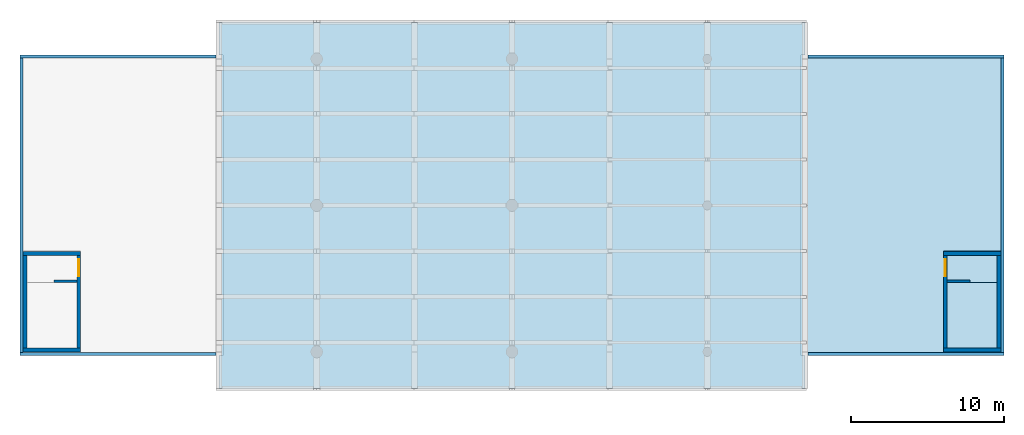
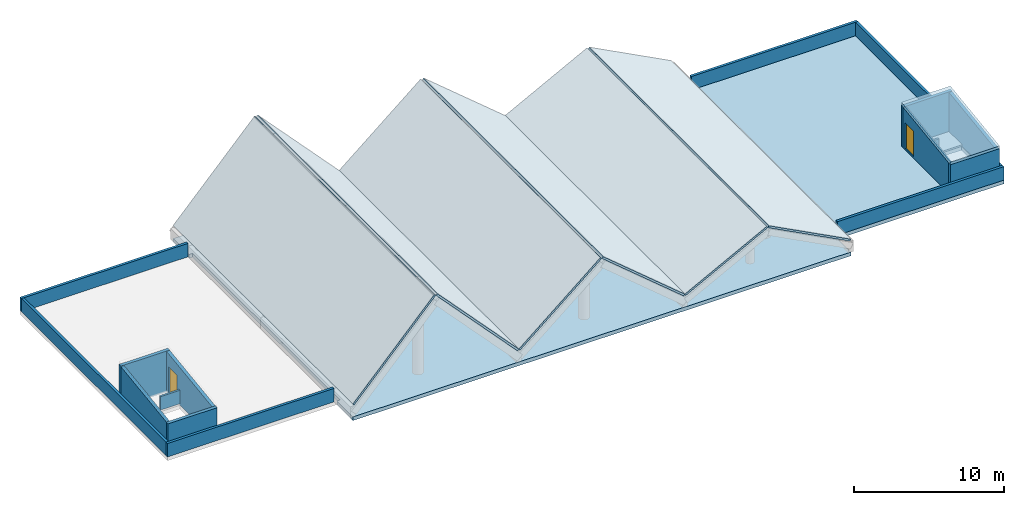
"""IFC4 building model written with IfcOpenShell, lengths in metres."""

from ifc_helpers import new_model, si_unit, direction, frame, frame_2d, origin, place, context, subcontext, project, spatial, polyline, rectangle, outline, extrude, material, layer, layer_set, type_object, element, fill, save


model = new_model("IFC4")

# Units and contexts
model_context = context("Model", 3, precision=1e-05, world=origin(), true_north=direction((0.0, 1.0)))
body_context = subcontext(model_context, "Body", "Model", "MODEL_VIEW")
ifc_project = project(units=[si_unit("LENGTHUNIT", "METRE"), si_unit("AREAUNIT", "SQUARE_METRE"), si_unit("VOLUMEUNIT", "CUBIC_METRE"), si_unit("PLANEANGLEUNIT", "RADIAN"), si_unit("MASSUNIT", "GRAM", prefix="KILO")], contexts=[model_context])

# Site, building, storey
site_placement = place(None, origin())
site = spatial("IfcSite", under=ifc_project, at=site_placement, CompositionType="ELEMENT")
building_placement = place(site_placement, origin())
building = spatial("IfcBuilding", under=site, at=building_placement, Name="Fogon Plaza Fire Station and Headquarters Tower", CompositionType="ELEMENT")
storey_1_placement = place(building_placement, frame((0.0, 0.0, 69.300048828125)))
storey_1 = spatial("IfcBuildingStorey", under=building, at=storey_1_placement, Name="ROOF", CompositionType="ELEMENT", Elevation=69.300048828125)

# Slabs
ifc_material_1 = material(Name="Concrete C40", Category="concrete")
ifc_layer_1 = layer(ifc_material_1, 0.1298828125)
ifc_layer_set_1 = layer_set([ifc_layer_1], Name="Concrete C40")
slab_type_1 = type_object("IfcSlabType", Name="Head-house Floor Slab RC 130", PredefinedType="FLOOR", material=ifc_layer_set_1)
slab_1_placement = place(storey_1_placement, frame((0.0, 0.0, 0.300048828125)))
element("IfcSlab", 1, at=slab_1_placement, inside=storey_1, type_object=slab_type_1, Name="Head-house ST3 floor", PredefinedType="FLOOR", context=body_context, shape_type="SweptSolid", body=[
    extrude(outline(polyline([(73.324951171875, 38.14990234375), (76.60009765625, 38.14990234375), (76.60009765625, 39.925048828125), (73.324951171875, 39.925048828125), (73.324951171875, 38.14990234375)])), origin(), (0.0, 0.0, 1.0), 0.1298828125),
])
ifc_material_2 = material(Name="Concrete C40", Category="concrete")
ifc_layer_2 = layer(ifc_material_2, 0.25)
ifc_layer_set_2 = layer_set([ifc_layer_2], Name="Concrete C40")
slab_type_2 = type_object("IfcSlabType", Name="Head-house Roof Slab RC 250", PredefinedType="ROOF", material=ifc_layer_set_2)
slab_2_placement = place(storey_1_placement, frame((76.85009765625, 33.60009765625, 3.002197265625), z_axis=(0.0, -0.135640167858, 0.99075816669), x_axis=(-1.0, 0.0, 0.0)))
element("IfcSlab", 2, at=slab_2_placement, inside=storey_1, type_object=slab_type_2, Name="Head-house ST3 roof", PredefinedType="ROOF", context=body_context, shape_type="SweptSolid", body=[
    extrude(outline(polyline([(0.0, 0.0), (3.775146484375, 0.0), (3.775146484375, -6.636282589362294), (0.0, -6.636282589362294), (0.0, 0.0)])), origin(), (0.0, 0.0, -1.0), 0.25),
])
ifc_material_3 = material(Name="Concrete C40", Category="concrete")
ifc_layer_3 = layer(ifc_material_3, 0.14990234375)
ifc_layer_set_3 = layer_set([ifc_layer_3], Name="Concrete C40")
slab_type_3 = type_object("IfcSlabType", Name="Roof slab 150 R15", PredefinedType="ROOF", material=ifc_layer_set_3)
for number, where, z_axis, x_axis, name in (
    (3, (25.60009765625, 31.199951171875, 1.349853515625), (-0.730716289719, 0.0, 0.682681260867), (0.682681260867, 0.0, 0.730716289719), "slab-crown-1"),
    (4, (32.11962890625, 31.199951171875, 8.072021484375), (0.730716289719, 0.0, 0.682681260867), (0.682681260867, 0.0, -0.730716289719), "slab-crown-2"),
):
    element("IfcSlab", number, at=place(storey_1_placement, frame(where, z_axis=z_axis, x_axis=x_axis)), inside=storey_1, type_object=slab_type_3, Name=name, PredefinedType="ROOF", context=body_context, shape_type="SweptSolid", body=[
        extrude(outline(polyline([(0.0, 0.0), (9.199422625896506, 0.0), (9.199422625896506, 24.0), (0.0, 24.0), (0.0, 0.0)])), origin(), (0.0, 0.0, -1.0), 0.14990234375),
    ])
slab_3_placement = place(storey_1_placement, frame((38.39990234375, 31.199951171875, 1.349853515625), z_axis=(-0.641354589808, 0.0, 0.76724460906), x_axis=(0.76724460906, 0.0, 0.641354589808)))
element("IfcSlab", 5, at=slab_3_placement, inside=storey_1, type_object=slab_type_3, Name="slab-crown-3", PredefinedType="ROOF", context=body_context, shape_type="SweptSolid", body=[
    extrude(outline(polyline([(0.0, 0.0), (8.20330991990697, 0.0), (8.20330991990697, 24.0), (0.0, 24.0), (0.0, 0.0)])), origin(), (0.0, 0.0, -1.0), 0.14990234375),
])
slab_4_placement = place(storey_1_placement, frame((44.90625, 31.199951171875, 6.611083984375), z_axis=(0.64136923481, 0.0, 0.767232366783), x_axis=(0.767232366783, 0.0, -0.64136923481)))
element("IfcSlab", 6, at=slab_4_placement, inside=storey_1, type_object=slab_type_3, Name="slab-crown-4", PredefinedType="ROOF", context=body_context, shape_type="SweptSolid", body=[
    extrude(outline(polyline([(0.0, 0.0), (8.203122605822987, 0.0), (8.203122605822987, 24.0), (0.0, 24.0), (0.0, 0.0)])), origin(), (0.0, 0.0, -1.0), 0.14990234375),
])
for number, where, z_axis, x_axis, name in (
    (7, (51.199951171875, 31.199951171875, 1.349853515625), (-0.463740992851, 0.0, 0.885970818678), (0.885970818678, 0.0, 0.463740992851), "slab-crown-5"),
    (8, (57.679443359375, 31.199951171875, 4.658203125), (0.463740992851, 0.0, 0.885970818678), (0.885970818678, 0.0, -0.463740992851), "slab-crown-6"),
):
    element("IfcSlab", number, at=place(storey_1_placement, frame(where, z_axis=z_axis, x_axis=x_axis)), inside=storey_1, type_object=slab_type_3, Name=name, PredefinedType="ROOF", context=body_context, shape_type="SweptSolid", body=[
        extrude(outline(polyline([(0.0, 0.0), (7.1340460739471325, 0.0), (7.1340460739471325, 24.0), (0.0, 24.0), (0.0, 0.0)])), origin(), (0.0, 0.0, -1.0), 0.14990234375),
    ])
ifc_material_4 = material(Name="Concrete C40", Category="concrete")
ifc_layer_4 = layer(ifc_material_4, 0.300048828125)
ifc_layer_set_4 = layer_set([ifc_layer_4], Name="Concrete C40")
slab_type_4 = type_object("IfcSlabType", Name="Roof slab 300 R30", PredefinedType="ROOF", material=ifc_layer_set_4)
slab_5_placement = place(storey_1_placement, origin())
element("IfcSlab", 9, at=slab_5_placement, inside=storey_1, type_object=slab_type_4, Name="slab-roof-bar", PredefinedType="ROOF", context=body_context, shape_type="SweptSolid", body=[
    extrude(outline(polyline([(64.0, 31.199951171875), (25.60009765625, 31.199951171875), (25.60009765625, 33.35009765625), (25.85009765625, 33.35009765625), (25.85009765625, 53.050048828125), (25.60009765625, 53.050048828125), (25.60009765625, 55.199951171875), (64.0, 55.199951171875), (64.0, 53.050048828125), (63.75, 53.050048828125), (63.75, 33.35009765625), (64.0, 33.35009765625), (64.0, 31.199951171875)])), origin(), (0.0, 0.0, 1.0), 0.300048828125),
])
slab_6_placement = place(storey_1_placement, origin())
element("IfcSlab", 10, at=slab_6_placement, inside=storey_1, type_object=slab_type_4, Name="slab-roof-coreB", PredefinedType="ROOF", context=body_context, shape_type="SweptSolid", body=[
    extrude(outline(polyline([(63.75, 33.35009765625), (63.75, 53.050048828125), (77.050048828125, 53.050048828125), (77.050048828125, 33.35009765625), (63.75, 33.35009765625)]), holes=[polyline([(76.550048828125, 38.14990234375), (73.324951171875, 38.14990234375), (73.324951171875, 33.85009765625), (76.550048828125, 33.85009765625), (76.550048828125, 38.14990234375)])]), origin(), (0.0, 0.0, 1.0), 0.300048828125),
])

# Walls
ifc_material_5 = material(Name="Concrete C40", Category="concrete")
ifc_layer_5 = layer(ifc_material_5, 0.199951171875)
ifc_layer_set_5 = layer_set([ifc_layer_5], Name="Concrete C40")
wall_type_1 = type_object("IfcWallType", Name="Fair-faced RC Parapet 200", PredefinedType="PARAPET", material=ifc_layer_set_5)
for number, where, z_axis, x_axis, name in (
    (11, (12.550048828125, 33.449951171875, 0.300048828125), (0.0, 0.0, 1.0), (1.0, 0.0, 0.0), "Parapet S"),
    (12, (12.550048828125, 52.949951171875, 0.300048828125), (0.0, 0.0, 1.0), (1.0, 0.0, 0.0), "Parapet N"),
):
    element("IfcWall", number, at=place(storey_1_placement, frame(where, z_axis=z_axis, x_axis=x_axis)), inside=storey_1, type_object=wall_type_1, Name=name, PredefinedType="PARAPET", context=body_context, shape_type="SweptSolid", body=[
        extrude(rectangle(XDim=12.849853515625, YDim=0.199951171875, at=frame_2d((6.4248046875, 0.0))), origin(), (0.0, 0.0, 1.0), 1.099853515625),
    ])
wall_1_placement = place(storey_1_placement, frame((12.64990234375, 33.550048828125, 0.300048828125), z_axis=(0.0, 0.0, 1.0), x_axis=(0.0, 1.0, 0.0)))
element("IfcWall", 13, at=wall_1_placement, inside=storey_1, type_object=wall_type_1, Name="Parapet W", PredefinedType="PARAPET", context=body_context, shape_type="SweptSolid", body=[
    extrude(rectangle(XDim=19.300048828125, YDim=0.199951171875, at=frame_2d((9.64990234375, 0.0))), origin(), (0.0, 0.0, 1.0), 1.099853515625),
])
for number, where, z_axis, x_axis, name in (
    (14, (64.199951171875, 33.449951171875, 0.300048828125), (0.0, 0.0, 1.0), (1.0, 0.0, 0.0), "Parapet S"),
    (15, (64.199951171875, 52.949951171875, 0.300048828125), (0.0, 0.0, 1.0), (1.0, 0.0, 0.0), "Parapet N"),
):
    element("IfcWall", number, at=place(storey_1_placement, frame(where, z_axis=z_axis, x_axis=x_axis)), inside=storey_1, type_object=wall_type_1, Name=name, PredefinedType="PARAPET", context=body_context, shape_type="SweptSolid", body=[
        extrude(rectangle(XDim=12.85009765625, YDim=0.199951171875, at=frame_2d((6.425048828125, 0.0))), origin(), (0.0, 0.0, 1.0), 1.099853515625),
    ])
wall_2_placement = place(storey_1_placement, frame((76.949951171875, 33.550048828125, 0.300048828125), z_axis=(0.0, 0.0, 1.0), x_axis=(0.0, 1.0, 0.0)))
element("IfcWall", 16, at=wall_2_placement, inside=storey_1, type_object=wall_type_1, Name="Parapet E", PredefinedType="PARAPET", context=body_context, shape_type="SweptSolid", body=[
    extrude(rectangle(XDim=19.300048828125, YDim=0.199951171875, at=frame_2d((9.64990234375, 0.0))), origin(), (0.0, 0.0, 1.0), 1.099853515625),
])
ifc_material_6 = material(Name="Concrete C40", Category="concrete")
ifc_layer_6 = layer(ifc_material_6, 0.25)
ifc_layer_set_6 = layer_set([ifc_layer_6], Name="Concrete C40")
wall_type_2 = type_object("IfcWallType", Name="Head-house Wall RC 250", PredefinedType="SOLIDWALL", material=ifc_layer_set_6)
wall_3_placement = place(storey_1_placement, frame((12.75, 33.72509765625, 0.300048828125), z_axis=(0.0, 0.0, 1.0), x_axis=(1.0, 0.0, 0.0)))
element("IfcWall", 17, at=wall_3_placement, inside=storey_1, type_object=wall_type_2, Name="Head-house ST1 wall", PredefinedType="SOLIDWALL", context=body_context, shape_type="SweptSolid", body=[
    extrude(rectangle(XDim=3.77490234375, YDim=0.25, at=frame_2d((1.887451171875, 0.0))), origin(), (0.0, 0.0, 1.0), 2.484130859375),
])
wall_4_placement = place(storey_1_placement, frame((12.75, 40.050048828125, 0.300048828125), z_axis=(0.0, 0.0, 1.0), x_axis=(1.0, 0.0, 0.0)))
element("IfcWall", 18, at=wall_4_placement, inside=storey_1, type_object=wall_type_2, Name="Head-house ST1 wall", PredefinedType="SOLIDWALL", context=body_context, shape_type="SweptSolid", body=[
    extrude(rectangle(XDim=3.77490234375, YDim=0.25, at=frame_2d((1.887451171875, 0.0))), origin(), (0.0, 0.0, 1.0), 3.349853515625),
])
wall_5_placement = place(storey_1_placement, frame((12.875, 33.85009765625, 0.300048828125), z_axis=(0.0, 0.0, 1.0), x_axis=(0.0, 1.0, 0.0)))
element("IfcWall", 19, at=wall_5_placement, inside=storey_1, type_object=wall_type_2, Name="Head-house ST1 wall", PredefinedType="SOLIDWALL", context=body_context, shape_type="SweptSolid", body=[
    extrude(outline(polyline([(0.0, 0.0), (6.074951171875, 0.0), (6.074951171875, 3.315673828125), (0.0, 2.484130859375), (0.0, 0.0)])), frame((0.0, 0.125, 0.0), z_axis=(0.0, -1.0, 0.0), x_axis=(1.0, 0.0, 0.0)), (0.0, 0.0, 1.0), 0.25),
])

# Wall, opening
wall_6_placement = place(storey_1_placement, frame((16.39990234375, 33.85009765625, 0.300048828125), z_axis=(0.0, 0.0, 1.0), x_axis=(0.0, 1.0, 0.0)))
wall_6 = element("IfcWall", 20, at=wall_6_placement, inside=storey_1, type_object=wall_type_2, Name="Head-house ST1 wall", PredefinedType="SOLIDWALL", context=body_context, shape_type="SweptSolid", body=[
    extrude(outline(polyline([(0.0, 0.0), (6.074951171875, 0.0), (6.074951171875, 3.315673828125), (0.0, 2.484130859375), (0.0, 0.0)])), frame((0.0, 0.125, 0.0), z_axis=(0.0, -1.0, 0.0), x_axis=(1.0, 0.0, 0.0)), (0.0, 0.0, 1.0), 0.25),
])
opening_1_placement = place(wall_6_placement, frame((4.71240234375, 0.0, 0.1298828125)))
opening_1 = element("IfcOpeningElement", 21, at=opening_1_placement, cuts=wall_6, Name="Opening L16-D01", PredefinedType="OPENING", context=body_context, shape_type="SweptSolid", body=[
    extrude(rectangle(XDim=1.10009765625, YDim=2.10009765625, at=frame_2d((0.550048828125, 1.050048828125))), frame((0.0, 0.135009765625, 0.0), z_axis=(0.0, -1.0, 0.0), x_axis=(1.0, 0.0, 0.0)), (0.0, 0.0, 1.0), 0.27001953125),
])

# Storey
storey_2_placement = place(building_placement, frame((0.0, 0.0, 64.199951171875)))
storey_2 = spatial("IfcBuildingStorey", under=building, at=storey_2_placement, Name="L16", CompositionType="ELEMENT", Elevation=64.199951171875)

# Door
ifc_material_7 = material(Name="Steel Fire Door Leaf", Category="steel")
door_type = type_object("IfcDoorType", Name="Stair Door Single 1100x2100", OperationType="SINGLE_SWING_LEFT", PredefinedType="DOOR", material=ifc_material_7)
door_1_placement = place(opening_1_placement, frame((1.10009765625, 0.0, 0.0), z_axis=(0.0, 0.0, 1.0), x_axis=(-1.0, 0.0, 0.0)))
door_1 = element("IfcDoor", 22, at=door_1_placement, inside=storey_2, type_object=door_type, Name="Stair ST1 head-house door", OperationType="SINGLE_SWING_RIGHT", OverallHeight=2.10009765625, OverallWidth=1.10009765625, PredefinedType="DOOR", context=body_context, shape_type="SweptSolid", body=[
    extrude(rectangle(XDim=1.10009765625, YDim=2.10009765625, at=frame_2d((0.550048828125, 1.050048828125))), frame((0.0, 0.02490234375, 0.0), z_axis=(0.0, -1.0, 0.0), x_axis=(1.0, 0.0, 0.0)), (0.0, 0.0, 1.0), 0.050048828125),
])

fill(opening_1, door_1)

# Walls
wall_7_placement = place(storey_1_placement, frame((76.85009765625, 33.72509765625, 0.300048828125), z_axis=(0.0, 0.0, 1.0), x_axis=(-1.0, 0.0, 0.0)))
element("IfcWall", 23, at=wall_7_placement, inside=storey_1, type_object=wall_type_2, Name="Head-house ST3 wall", PredefinedType="SOLIDWALL", context=body_context, shape_type="SweptSolid", body=[
    extrude(rectangle(XDim=3.775146484375, YDim=0.25, at=frame_2d((1.8876953125, 0.0))), origin(), (0.0, 0.0, 1.0), 2.484130859375),
])
wall_8_placement = place(storey_1_placement, frame((76.85009765625, 40.050048828125, 0.300048828125), z_axis=(0.0, 0.0, 1.0), x_axis=(-1.0, 0.0, 0.0)))
element("IfcWall", 24, at=wall_8_placement, inside=storey_1, type_object=wall_type_2, Name="Head-house ST3 wall", PredefinedType="SOLIDWALL", context=body_context, shape_type="SweptSolid", body=[
    extrude(rectangle(XDim=3.775146484375, YDim=0.25, at=frame_2d((1.8876953125, 0.0))), origin(), (0.0, 0.0, 1.0), 3.349853515625),
])
wall_9_placement = place(storey_1_placement, frame((76.72509765625, 33.85009765625, 0.300048828125), z_axis=(0.0, 0.0, 1.0), x_axis=(0.0, 1.0, 0.0)))
element("IfcWall", 25, at=wall_9_placement, inside=storey_1, type_object=wall_type_2, Name="Head-house ST3 wall", PredefinedType="SOLIDWALL", context=body_context, shape_type="SweptSolid", body=[
    extrude(outline(polyline([(0.0, 0.0), (6.074951171875, 0.0), (6.074951171875, 3.315673828125), (0.0, 2.484130859375), (0.0, 0.0)])), frame((0.0, 0.125, 0.0), z_axis=(0.0, -1.0, 0.0), x_axis=(1.0, 0.0, 0.0)), (0.0, 0.0, 1.0), 0.25),
])

# Wall, opening, door
wall_10_placement = place(storey_1_placement, frame((73.199951171875, 33.85009765625, 0.300048828125), z_axis=(0.0, 0.0, 1.0), x_axis=(0.0, 1.0, 0.0)))
wall_10 = element("IfcWall", 26, at=wall_10_placement, inside=storey_1, type_object=wall_type_2, Name="Head-house ST3 wall", PredefinedType="SOLIDWALL", context=body_context, shape_type="SweptSolid", body=[
    extrude(outline(polyline([(0.0, 0.0), (6.074951171875, 0.0), (6.074951171875, 3.315673828125), (0.0, 2.484130859375), (0.0, 0.0)])), frame((0.0, 0.125, 0.0), z_axis=(0.0, -1.0, 0.0), x_axis=(1.0, 0.0, 0.0)), (0.0, 0.0, 1.0), 0.25),
])
opening_2_placement = place(wall_10_placement, frame((4.71240234375, 0.0, 0.1298828125)))
opening_2 = element("IfcOpeningElement", 27, at=opening_2_placement, cuts=wall_10, Name="Opening L16-D16", PredefinedType="OPENING", context=body_context, shape_type="SweptSolid", body=[
    extrude(rectangle(XDim=1.10009765625, YDim=2.10009765625, at=frame_2d((0.550048828125, 1.050048828125))), frame((0.0, 0.135009765625, 0.0), z_axis=(0.0, -1.0, 0.0), x_axis=(1.0, 0.0, 0.0)), (0.0, 0.0, 1.0), 0.27001953125),
])
door_2_placement = place(opening_2_placement, origin())
door_2 = element("IfcDoor", 28, at=door_2_placement, inside=storey_2, type_object=door_type, Name="Stair ST3 head-house door", OperationType="SINGLE_SWING_LEFT", OverallHeight=2.10009765625, OverallWidth=1.10009765625, PredefinedType="DOOR", context=body_context, shape_type="SweptSolid", body=[
    extrude(rectangle(XDim=1.10009765625, YDim=2.10009765625, at=frame_2d((0.550048828125, 1.050048828125))), frame((0.0, 0.02490234375, 0.0), z_axis=(0.0, -1.0, 0.0), x_axis=(1.0, 0.0, 0.0)), (0.0, 0.0, 1.0), 0.050048828125),
])
fill(opening_2, door_2)

# Walls
ifc_material_8 = material(Name="Concrete C40", Category="concrete")
ifc_layer_7 = layer(ifc_material_8, 0.14990234375)
ifc_layer_set_7 = layer_set([ifc_layer_7], Name="Concrete C40")
wall_type_3 = type_object("IfcWallType", Name="Roof Guard Wall RC 150", PredefinedType="SOLIDWALL", material=ifc_layer_set_7)
for number, where, z_axis, x_axis, name in (
    (29, (14.77490234375, 38.22509765625, 0.429931640625), (0.0, 0.0, 1.0), (1.0, 0.0, 0.0), "Roof guard wall ST1"),
    (30, (74.824951171875, 38.22509765625, 0.429931640625), (0.0, 0.0, 1.0), (-1.0, 0.0, 0.0), "Roof guard wall ST3"),
):
    element("IfcWall", number, at=place(storey_1_placement, frame(where, z_axis=z_axis, x_axis=x_axis)), inside=storey_1, type_object=wall_type_3, Name=name, PredefinedType="SOLIDWALL", context=body_context, shape_type="SweptSolid", body=[
        extrude(rectangle(XDim=1.5, YDim=0.14990234375, at=frame_2d((0.75, 0.0))), origin(), (0.0, 0.0, 1.0), 1.10009765625),
    ])

save(model, "model.ifc")
